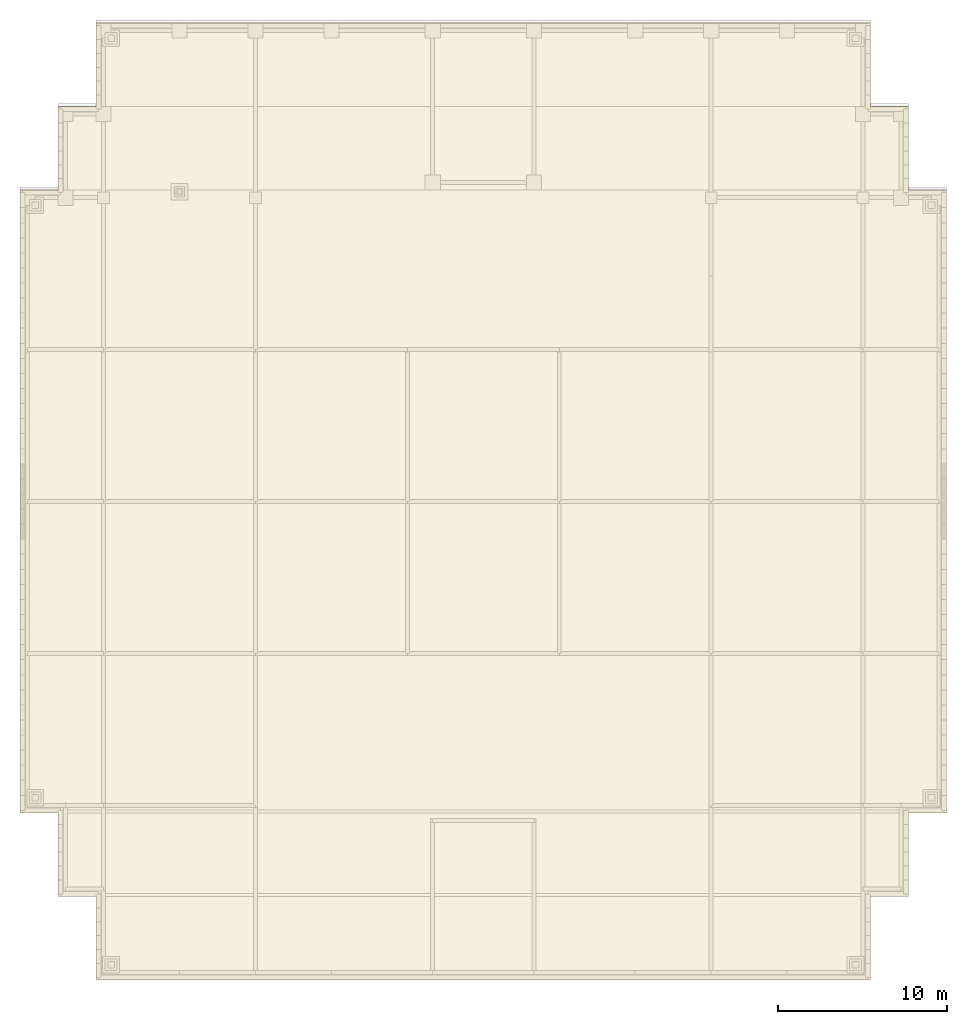
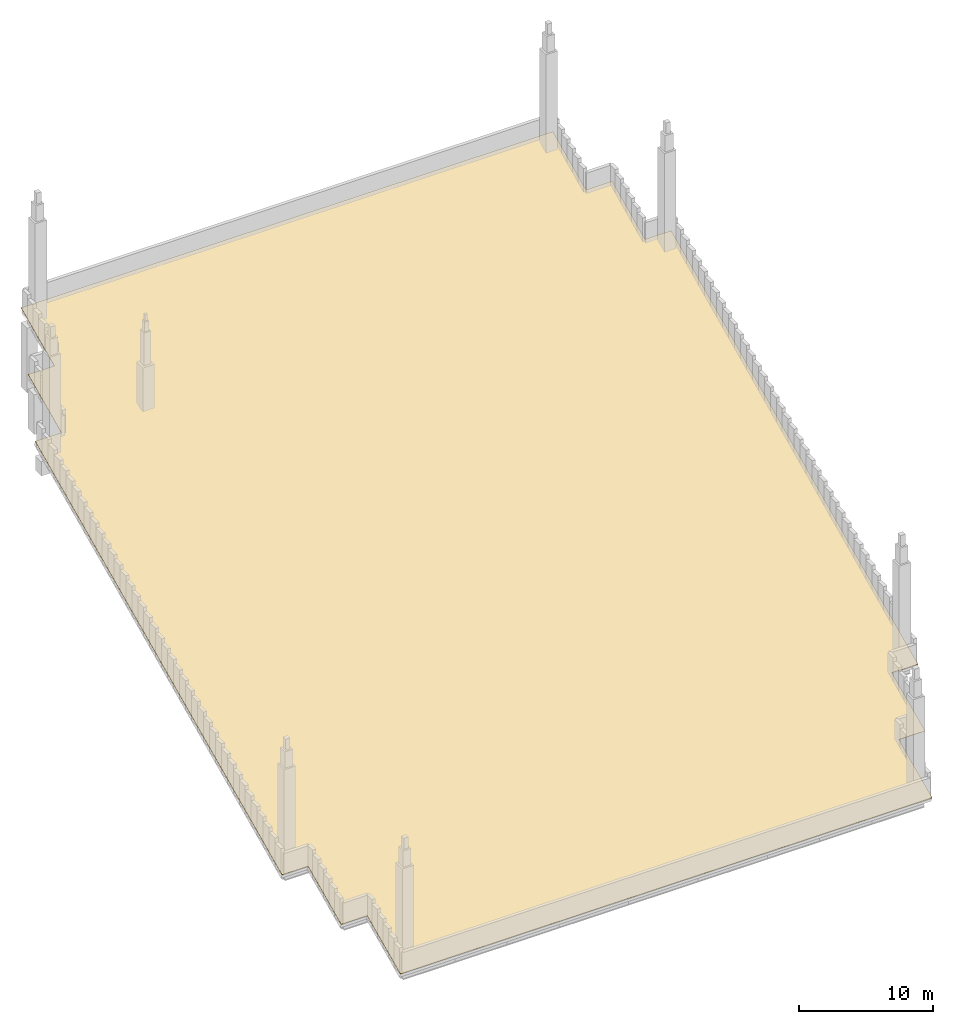
# One storey, part 5 of 5: 1 covering.
"""IFC4 building model written with IfcOpenShell, lengths in metres."""

from ifc_helpers import new_model, si_unit, direction, frame, origin, place, context, subcontext, project, spatial, polyline, outline, extrude, material, layer, layer_set, type_object, element, save


model = new_model("IFC4")

# Units and contexts
model_context = context("Model", 3, precision=1e-05, world=origin(), true_north=direction((0.0, 1.0)))
body_context = subcontext(model_context, "Body", "Model", "MODEL_VIEW")
ifc_project = project(units=[si_unit("LENGTHUNIT", "METRE"), si_unit("AREAUNIT", "SQUARE_METRE"), si_unit("VOLUMEUNIT", "CUBIC_METRE"), si_unit("PLANEANGLEUNIT", "RADIAN"), si_unit("MASSUNIT", "GRAM", prefix="KILO")], contexts=[model_context])

# Site, building, storey
site_placement = place(None, origin())
site = spatial("IfcSite", under=ifc_project, at=site_placement, CompositionType="ELEMENT")
building_placement = place(site_placement, origin())
building = spatial("IfcBuilding", under=site, at=building_placement, Name="Corbelhall Arena Tower", CompositionType="ELEMENT")
storey_placement = place(building_placement, frame((0.0, 0.0, 391.0)))
storey = spatial("IfcBuildingStorey", under=building, at=storey_placement, Name="Roof", CompositionType="ELEMENT", Elevation=391.0)

# Covering
ifc_material = material(Name="Bitumen membrane with granite chip finish", Category="masonry")
ifc_layer = layer(ifc_material, 0.050048828125)
ifc_layer_set = layer_set([ifc_layer], Name="EV-RC1 Roofing membrane")
covering_type = type_object("IfcCoveringType", Name="EV-RC1 Roofing membrane", PredefinedType="ROOFING", material=ifc_layer_set)
covering_placement = place(storey_placement, frame((-25.199951171875, 18.449951171875, 2.646728515625), z_axis=(0.0, -0.422351833095, 0.906431977085), x_axis=(0.0, 0.906431977085, 0.422351833095)))
element("IfcCovering", 1, at=covering_placement, inside=storey, type_object=covering_type, Name="Crown roofing", PredefinedType="ROOFING", context=body_context, shape_type="SweptSolid", body=[
    extrude(outline(polyline([(0.0, 0.0), (5.460904810213978, 0.0), (5.460904810213978, -2.25), (10.922134030537862, -2.25), (10.922134030537862, -48.14990234375), (5.460904810213978, -48.14990234375), (5.460904810213978, -50.39990234375), (0.0, -50.39990234375), (0.0, -52.64990234375), (-40.70900139800269, -52.64990234375), (-40.70900139800269, -50.39990234375), (-46.169906208216666, -50.39990234375), (-46.169906208216666, -48.14990234375), (-51.63103231530005, -48.14990234375), (-51.63103231530005, -2.25), (-46.169906208216666, -2.25), (-46.169906208216666, 0.0), (-40.70900139800269, 0.0), (-40.70900139800269, 2.25), (0.0, 2.25), (0.0, 0.0)])), origin(), (0.0, 0.0, -1.0), 0.050048828125),
])

save(model, "model.ifc")
